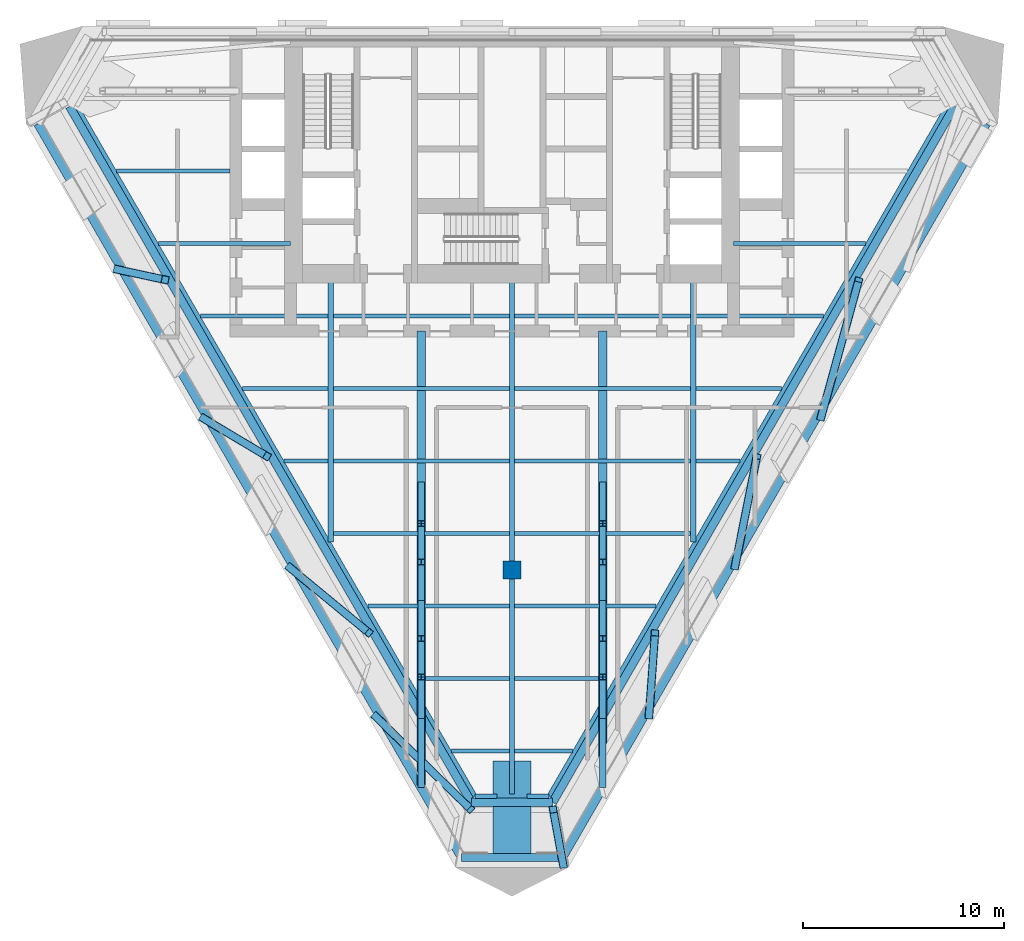
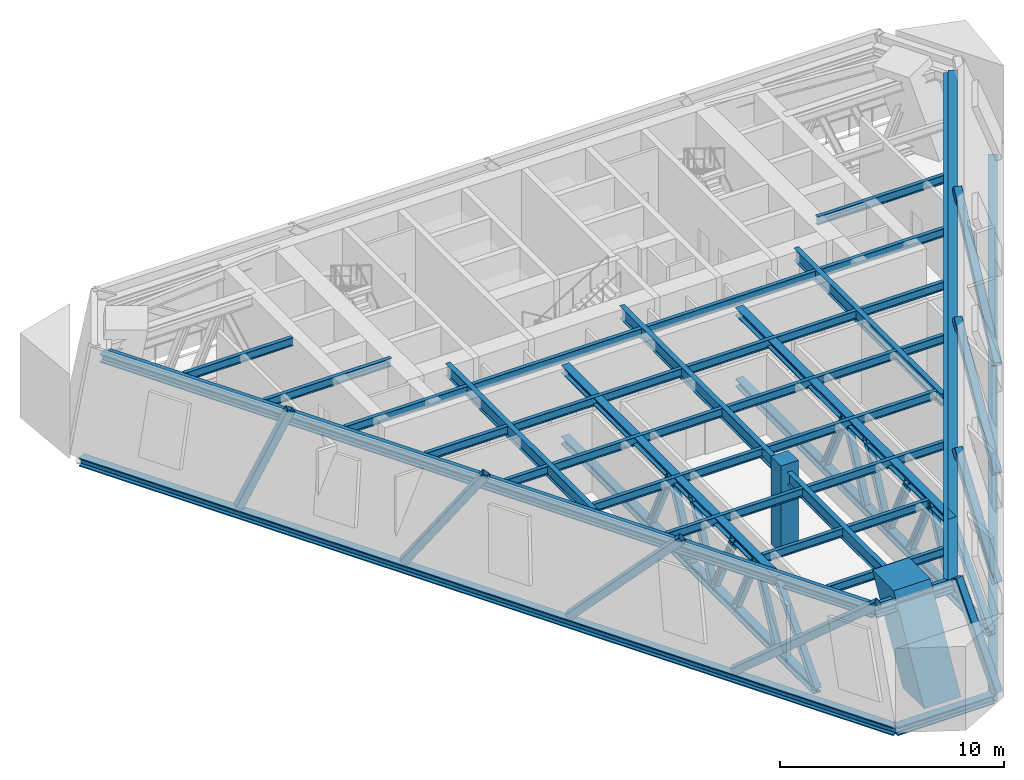
# One storey, part 1 of 12: 41 beams, 23 members, 1 column.
"""IFC4 building model written with IfcOpenShell, lengths in metres."""

from ifc_helpers import new_model, si_unit, direction, frame, origin, origin_2d, place, context, subcontext, project, spatial, rectangle, hollow_rectangle, i_section, extrude, material, material_profile, profile_set, type_object, element, save


model = new_model("IFC4")

# Units and contexts
model_context = context("Model", 3, precision=1e-05, world=origin(), true_north=direction((0.0, 1.0)))
body_context = subcontext(model_context, "Body", "Model", "MODEL_VIEW")
ifc_project = project(units=[si_unit("LENGTHUNIT", "METRE"), si_unit("AREAUNIT", "SQUARE_METRE"), si_unit("VOLUMEUNIT", "CUBIC_METRE"), si_unit("PLANEANGLEUNIT", "RADIAN"), si_unit("MASSUNIT", "GRAM", prefix="KILO")], contexts=[model_context])

# Site, building, storey
site_placement = place(None, origin())
site = spatial("IfcSite", under=ifc_project, at=site_placement, CompositionType="ELEMENT")
building_placement = place(site_placement, origin())
building = spatial("IfcBuilding", under=site, at=building_placement, Name="Aloe Facet Convention Tower", CompositionType="ELEMENT")
storey_placement = place(building_placement, frame((0.0, 0.0, 123.800048828125)))
storey = spatial("IfcBuildingStorey", under=building, at=storey_placement, Name="L31", CompositionType="ELEMENT", Elevation=123.800048828125)

# Column
ifc_material_1 = material(Name="Concrete C70/85", Category="concrete")
ifc_material_profile_1 = material_profile(ifc_material_1, rectangle(XDim=0.89990234375, YDim=0.89990234375, at=origin_2d()), Name="SF-GC-Z3")
ifc_profile_set_1 = profile_set([ifc_material_profile_1], Name="Concrete C70/85")
column_type = type_object("IfcColumnType", Name="SF-GC-Z3", PredefinedType="COLUMN", material=ifc_profile_set_1)
column_placement = place(storey_placement, frame((80.0, 108.0, 0.0), z_axis=(0.0, 0.0, 1.0), x_axis=(1.0, 0.0, 0.0)))
element("IfcColumn", 1, at=column_placement, inside=storey, type_object=column_type, Name="Gravity column GC-Z3-9D", PredefinedType="COLUMN", context=body_context, shape_type="SweptSolid", body=[
    extrude(rectangle(XDim=0.89990234375, YDim=0.89990234375, at=origin_2d()), origin(), (0.0, 0.0, 1.0), 4.800048828125),
])

# Beams
ifc_material_2 = material(Name="Steel S355", Category="steel")
ifc_material_profile_2 = material_profile(ifc_material_2, i_section(OverallWidth=0.19140625, OverallDepth=0.4599609375, WebThickness=0.010009765625, FlangeThickness=0.01611328125, FilletRadius=0.01025390625, at=origin_2d()), Name="UB 457x191x82")
ifc_profile_set_2 = profile_set([ifc_material_profile_2], Name="Steel S355")
beam_type_1 = type_object("IfcBeamType", Name="SF-B-UB457x191x82", PredefinedType="BEAM", material=ifc_profile_set_2)
beam_1_placement = place(storey_placement, frame((60.373779296875, 127.800048828125, 4.119873046875), z_axis=(1.0, 0.0, 0.0), x_axis=(0.0, 1.0, 0.0)))
element("IfcBeam", 2, at=beam_1_placement, inside=storey, type_object=beam_type_1, Name="Floor beam FB-Z3A-014", PredefinedType="BEAM", context=body_context, shape_type="SweptSolid", body=[
    extrude(i_section(OverallWidth=0.19140625, OverallDepth=0.4599609375, WebThickness=0.010009765625, FlangeThickness=0.01611328125, FilletRadius=0.01025390625, at=origin_2d()), origin(), (0.0, 0.0, 1.0), 5.626220703125),
])
beam_2_placement = place(storey_placement, frame((62.452392578125, 124.199951171875, 4.119873046875), z_axis=(1.0, 0.0, 0.0), x_axis=(0.0, 1.0, 0.0)))
element("IfcBeam", 3, at=beam_2_placement, inside=storey, type_object=beam_type_1, Name="Floor beam FB-Z3A-015", PredefinedType="BEAM", context=body_context, shape_type="SweptSolid", body=[
    extrude(i_section(OverallWidth=0.19140625, OverallDepth=0.4599609375, WebThickness=0.010009765625, FlangeThickness=0.01611328125, FilletRadius=0.01025390625, at=origin_2d()), origin(), (0.0, 0.0, 1.0), 6.547607421875),
])
beam_3_placement = place(storey_placement, frame((64.53076171875, 120.60009765625, 4.119873046875), z_axis=(1.0, 0.0, 0.0), x_axis=(0.0, 1.0, 0.0)))
element("IfcBeam", 4, at=beam_3_placement, inside=storey, type_object=beam_type_1, Name="Floor beam FB-Z3A-016", PredefinedType="BEAM", context=body_context, shape_type="SweptSolid", body=[
    extrude(i_section(OverallWidth=0.19140625, OverallDepth=0.4599609375, WebThickness=0.010009765625, FlangeThickness=0.01611328125, FilletRadius=0.01025390625, at=origin_2d()), origin(), (0.0, 0.0, 1.0), 6.3427734375),
])
beam_4_placement = place(storey_placement, frame((66.609130859375, 117.0, 4.119873046875), z_axis=(1.0, 0.0, 0.0), x_axis=(0.0, 1.0, 0.0)))
element("IfcBeam", 5, at=beam_4_placement, inside=storey, type_object=beam_type_1, Name="Floor beam FB-Z3A-017", PredefinedType="BEAM", context=body_context, shape_type="SweptSolid", body=[
    extrude(i_section(OverallWidth=0.19140625, OverallDepth=0.4599609375, WebThickness=0.010009765625, FlangeThickness=0.01611328125, FilletRadius=0.01025390625, at=origin_2d()), origin(), (0.0, 0.0, 1.0), 4.264404296875),
])
beam_5_placement = place(storey_placement, frame((68.687744140625, 113.39990234375, 4.119873046875), z_axis=(1.0, 0.0, 0.0), x_axis=(0.0, 1.0, 0.0)))
element("IfcBeam", 6, at=beam_5_placement, inside=storey, type_object=beam_type_1, Name="Floor beam FB-Z3A-018", PredefinedType="BEAM", context=body_context, shape_type="SweptSolid", body=[
    extrude(i_section(OverallWidth=0.19140625, OverallDepth=0.4599609375, WebThickness=0.010009765625, FlangeThickness=0.01611328125, FilletRadius=0.01025390625, at=origin_2d()), origin(), (0.0, 0.0, 1.0), 2.185791015625),
])
for number, where, z_axis, x_axis, name in (
    (7, (71.12646484375, 109.800048828125, 4.119873046875), (1.0, 0.0, 0.0), (0.0, 1.0, 0.0), "Floor beam FB-Z3A-019"),
    (8, (71.12646484375, 113.39990234375, 4.119873046875), (1.0, 0.0, 0.0), (0.0, 1.0, 0.0), "Floor beam FB-Z3A-020"),
    (9, (71.12646484375, 117.0, 4.119873046875), (1.0, 0.0, 0.0), (0.0, 1.0, 0.0), "Floor beam FB-Z3A-021"),
    (10, (71.12646484375, 120.60009765625, 4.119873046875), (1.0, 0.0, 0.0), (0.0, 1.0, 0.0), "Floor beam FB-Z3A-022"),
):
    element("IfcBeam", number, at=place(storey_placement, frame(where, z_axis=z_axis, x_axis=x_axis)), inside=storey, type_object=beam_type_1, Name=name, PredefinedType="BEAM", context=body_context, shape_type="SweptSolid", body=[
        extrude(i_section(OverallWidth=0.19140625, OverallDepth=0.4599609375, WebThickness=0.010009765625, FlangeThickness=0.01611328125, FilletRadius=0.01025390625, at=origin_2d()), origin(), (0.0, 0.0, 1.0), 8.7470703125),
    ])
beam_6_placement = place(storey_placement, frame((72.844482421875, 106.199951171875, 4.119873046875), z_axis=(1.0, 0.0, 0.0), x_axis=(0.0, 1.0, 0.0)))
element("IfcBeam", 11, at=beam_6_placement, inside=storey, type_object=beam_type_1, Name="Floor beam FB-Z3A-023", PredefinedType="BEAM", context=body_context, shape_type="SweptSolid", body=[
    extrude(i_section(OverallWidth=0.19140625, OverallDepth=0.4599609375, WebThickness=0.010009765625, FlangeThickness=0.01611328125, FilletRadius=0.01025390625, at=origin_2d()), origin(), (0.0, 0.0, 1.0), 7.029052734375),
])
beam_7_placement = place(storey_placement, frame((75.7099609375, 102.60009765625, 4.119873046875), z_axis=(1.0, 0.0, 0.0), x_axis=(0.0, 1.0, 0.0)))
element("IfcBeam", 12, at=beam_7_placement, inside=storey, type_object=beam_type_1, Name="Floor beam FB-Z3A-024", PredefinedType="BEAM", context=body_context, shape_type="SweptSolid", body=[
    extrude(i_section(OverallWidth=0.19140625, OverallDepth=0.4599609375, WebThickness=0.010009765625, FlangeThickness=0.01611328125, FilletRadius=0.01025390625, at=origin_2d()), origin(), (0.0, 0.0, 1.0), 4.16357421875),
])
for number, where, z_axis, x_axis, name in (
    (13, (77.00146484375, 99.0, 4.119873046875), (1.0, 0.0, 0.0), (0.0, 1.0, 0.0), "Floor beam FB-Z3A-025"),
    (14, (80.12646484375, 99.0, 4.119873046875), (1.0, 0.0, 0.0), (0.0, 1.0, 0.0), "Floor beam FB-Z3A-026"),
):
    element("IfcBeam", number, at=place(storey_placement, frame(where, z_axis=z_axis, x_axis=x_axis)), inside=storey, type_object=beam_type_1, Name=name, PredefinedType="BEAM", context=body_context, shape_type="SweptSolid", body=[
        extrude(i_section(OverallWidth=0.19140625, OverallDepth=0.4599609375, WebThickness=0.010009765625, FlangeThickness=0.01611328125, FilletRadius=0.01025390625, at=origin_2d()), origin(), (0.0, 0.0, 1.0), 2.8720703125),
    ])
beam_8_placement = place(storey_placement, frame((80.12646484375, 102.60009765625, 4.119873046875), z_axis=(1.0, 0.0, 0.0), x_axis=(0.0, 1.0, 0.0)))
element("IfcBeam", 15, at=beam_8_placement, inside=storey, type_object=beam_type_1, Name="Floor beam FB-Z3A-027", PredefinedType="BEAM", context=body_context, shape_type="SweptSolid", body=[
    extrude(i_section(OverallWidth=0.19140625, OverallDepth=0.4599609375, WebThickness=0.010009765625, FlangeThickness=0.01611328125, FilletRadius=0.01025390625, at=origin_2d()), origin(), (0.0, 0.0, 1.0), 4.16357421875),
])
beam_9_placement = place(storey_placement, frame((80.12646484375, 106.199951171875, 4.119873046875), z_axis=(1.0, 0.0, 0.0), x_axis=(0.0, 1.0, 0.0)))
element("IfcBeam", 16, at=beam_9_placement, inside=storey, type_object=beam_type_1, Name="Floor beam FB-Z3A-028", PredefinedType="BEAM", context=body_context, shape_type="SweptSolid", body=[
    extrude(i_section(OverallWidth=0.19140625, OverallDepth=0.4599609375, WebThickness=0.010009765625, FlangeThickness=0.01611328125, FilletRadius=0.01025390625, at=origin_2d()), origin(), (0.0, 0.0, 1.0), 7.029052734375),
])
for number, where, z_axis, x_axis, name in (
    (17, (80.12646484375, 109.800048828125, 4.119873046875), (1.0, 0.0, 0.0), (0.0, 1.0, 0.0), "Floor beam FB-Z3A-029"),
    (18, (80.12646484375, 113.39990234375, 4.119873046875), (1.0, 0.0, 0.0), (0.0, 1.0, 0.0), "Floor beam FB-Z3A-030"),
    (19, (80.12646484375, 117.0, 4.119873046875), (1.0, 0.0, 0.0), (0.0, 1.0, 0.0), "Floor beam FB-Z3A-031"),
    (20, (80.12646484375, 120.60009765625, 4.119873046875), (1.0, 0.0, 0.0), (0.0, 1.0, 0.0), "Floor beam FB-Z3A-032"),
):
    element("IfcBeam", number, at=place(storey_placement, frame(where, z_axis=z_axis, x_axis=x_axis)), inside=storey, type_object=beam_type_1, Name=name, PredefinedType="BEAM", context=body_context, shape_type="SweptSolid", body=[
        extrude(i_section(OverallWidth=0.19140625, OverallDepth=0.4599609375, WebThickness=0.010009765625, FlangeThickness=0.01611328125, FilletRadius=0.01025390625, at=origin_2d()), origin(), (0.0, 0.0, 1.0), 8.7470703125),
    ])
beam_10_placement = place(storey_placement, frame((89.12646484375, 113.39990234375, 4.119873046875), z_axis=(1.0, 0.0, 0.0), x_axis=(0.0, 1.0, 0.0)))
element("IfcBeam", 21, at=beam_10_placement, inside=storey, type_object=beam_type_1, Name="Floor beam FB-Z3A-033", PredefinedType="BEAM", context=body_context, shape_type="SweptSolid", body=[
    extrude(i_section(OverallWidth=0.19140625, OverallDepth=0.4599609375, WebThickness=0.010009765625, FlangeThickness=0.01611328125, FilletRadius=0.01025390625, at=origin_2d()), origin(), (0.0, 0.0, 1.0), 2.185791015625),
])
beam_11_placement = place(storey_placement, frame((89.12646484375, 117.0, 4.119873046875), z_axis=(1.0, 0.0, 0.0), x_axis=(0.0, 1.0, 0.0)))
element("IfcBeam", 22, at=beam_11_placement, inside=storey, type_object=beam_type_1, Name="Floor beam FB-Z3A-034", PredefinedType="BEAM", context=body_context, shape_type="SweptSolid", body=[
    extrude(i_section(OverallWidth=0.19140625, OverallDepth=0.4599609375, WebThickness=0.010009765625, FlangeThickness=0.01611328125, FilletRadius=0.01025390625, at=origin_2d()), origin(), (0.0, 0.0, 1.0), 4.264404296875),
])
beam_12_placement = place(storey_placement, frame((89.12646484375, 120.60009765625, 4.119873046875), z_axis=(1.0, 0.0, 0.0), x_axis=(0.0, 1.0, 0.0)))
element("IfcBeam", 23, at=beam_12_placement, inside=storey, type_object=beam_type_1, Name="Floor beam FB-Z3A-035", PredefinedType="BEAM", context=body_context, shape_type="SweptSolid", body=[
    extrude(i_section(OverallWidth=0.19140625, OverallDepth=0.4599609375, WebThickness=0.010009765625, FlangeThickness=0.01611328125, FilletRadius=0.01025390625, at=origin_2d()), origin(), (0.0, 0.0, 1.0), 6.3427734375),
])
beam_13_placement = place(storey_placement, frame((91.0, 124.199951171875, 4.119873046875), z_axis=(1.0, 0.0, 0.0), x_axis=(0.0, 1.0, 0.0)))
element("IfcBeam", 24, at=beam_13_placement, inside=storey, type_object=beam_type_1, Name="Floor beam FB-Z3A-036", PredefinedType="BEAM", context=body_context, shape_type="SweptSolid", body=[
    extrude(i_section(OverallWidth=0.19140625, OverallDepth=0.4599609375, WebThickness=0.010009765625, FlangeThickness=0.01611328125, FilletRadius=0.01025390625, at=origin_2d()), origin(), (0.0, 0.0, 1.0), 6.547607421875),
])
ifc_material_3 = material(Name="Steel S355", Category="steel")
ifc_material_profile_3 = material_profile(ifc_material_3, i_section(OverallWidth=0.209228515625, OverallDepth=0.533203125, WebThickness=0.010009765625, FlangeThickness=0.015625, FilletRadius=0.0126953125, at=origin_2d()), Name="UB 533x210x92")
ifc_profile_set_3 = profile_set([ifc_material_profile_3], Name="Steel S355")
beam_type_2 = type_object("IfcBeamType", Name="SF-B-UB533x210x92", PredefinedType="BEAM", material=ifc_profile_set_3)
beam_14_placement = place(storey_placement, frame((78.16455078125, 96.7587890625, 4.08349609375), z_axis=(-0.499999016722, 0.866025971479, 0.0), x_axis=(-0.866025971479, -0.499999016722, 0.0)))
element("IfcBeam", 25, at=beam_14_placement, inside=storey, type_object=beam_type_2, Name="Floor beam FB-Z3A-003", PredefinedType="BEAM", context=body_context, shape_type="SweptSolid", body=[
    extrude(i_section(OverallWidth=0.209228515625, OverallDepth=0.533203125, WebThickness=0.010009765625, FlangeThickness=0.015625, FilletRadius=0.0126953125, at=origin_2d()), origin(), (0.0, 0.0, 1.0), 39.55712890625),
])
for number, where, z_axis, x_axis, name in (
    (26, (79.2646484375, 96.7587890625, 4.08349609375), (-1.0, 0.0, 0.0), (0.0, -1.0, 0.0), "Floor beam FB-Z3A-004"),
    (27, (81.83544921875, 96.7587890625, 4.08349609375), (-1.0, 0.0, 0.0), (0.0, -1.0, 0.0), "Floor beam FB-Z3A-005"),
):
    element("IfcBeam", number, at=place(storey_placement, frame(where, z_axis=z_axis, x_axis=x_axis)), inside=storey, type_object=beam_type_2, Name=name, PredefinedType="BEAM", context=body_context, shape_type="SweptSolid", body=[
        extrude(i_section(OverallWidth=0.209228515625, OverallDepth=0.533203125, WebThickness=0.010009765625, FlangeThickness=0.015625, FilletRadius=0.0126953125, at=origin_2d()), origin(), (0.0, 0.0, 1.0), 1.10009765625),
    ])
beam_15_placement = place(storey_placement, frame((101.614013671875, 131.016357421875, 4.08349609375), z_axis=(-0.499999016722, -0.866025971479, 0.0), x_axis=(0.866025971479, -0.499999016722, 0.0)))
element("IfcBeam", 28, at=beam_15_placement, inside=storey, type_object=beam_type_2, Name="Floor beam FB-Z3A-008", PredefinedType="BEAM", context=body_context, shape_type="SweptSolid", body=[
    extrude(i_section(OverallWidth=0.209228515625, OverallDepth=0.533203125, WebThickness=0.010009765625, FlangeThickness=0.015625, FilletRadius=0.0126953125, at=origin_2d()), origin(), (0.0, 0.0, 1.0), 39.55712890625),
])
ifc_material_4 = material(Name="Steel S355", Category="steel")
ifc_material_profile_4 = material_profile(ifc_material_4, i_section(OverallWidth=0.2529296875, OverallDepth=0.677978515625, WebThickness=0.01171875, FlangeThickness=0.01611328125, FilletRadius=0.01513671875, at=origin_2d()), Name="UB 686x254x125")
ifc_profile_set_4 = profile_set([ifc_material_profile_4], Name="Steel S355")
beam_type_3 = type_object("IfcBeamType", Name="SF-B-UB686x254x125", PredefinedType="BEAM", material=ifc_profile_set_4)
beam_16_placement = place(storey_placement, frame((71.0, 122.550048828125, 4.010986328125), z_axis=(0.0, -1.0, 0.0), x_axis=(1.0, 0.0, 0.0)))
element("IfcBeam", 29, at=beam_16_placement, inside=storey, type_object=beam_type_3, Name="Floor beam FB-Z3A-009", PredefinedType="BEAM", context=body_context, shape_type="SweptSolid", body=[
    extrude(i_section(OverallWidth=0.2529296875, OverallDepth=0.677978515625, WebThickness=0.01171875, FlangeThickness=0.01611328125, FilletRadius=0.01513671875, at=origin_2d()), origin(), (0.0, 0.0, 1.0), 13.162353515625),
])
beam_17_placement = place(storey_placement, frame((80.0, 107.550048828125, 4.010986328125), z_axis=(0.0, -1.0, 0.0), x_axis=(1.0, 0.0, 0.0)))
element("IfcBeam", 30, at=beam_17_placement, inside=storey, type_object=beam_type_3, Name="Floor beam FB-Z3A-010", PredefinedType="BEAM", context=body_context, shape_type="SweptSolid", body=[
    extrude(i_section(OverallWidth=0.2529296875, OverallDepth=0.677978515625, WebThickness=0.01171875, FlangeThickness=0.01611328125, FilletRadius=0.01513671875, at=origin_2d()), origin(), (0.0, 0.0, 1.0), 10.676513671875),
])
beam_18_placement = place(storey_placement, frame((80.0, 122.550048828125, 4.010986328125), z_axis=(0.0, -1.0, 0.0), x_axis=(1.0, 0.0, 0.0)))
element("IfcBeam", 31, at=beam_18_placement, inside=storey, type_object=beam_type_3, Name="Floor beam FB-Z3A-011", PredefinedType="BEAM", context=body_context, shape_type="SweptSolid", body=[
    extrude(i_section(OverallWidth=0.2529296875, OverallDepth=0.677978515625, WebThickness=0.01171875, FlangeThickness=0.01611328125, FilletRadius=0.01513671875, at=origin_2d()), origin(), (0.0, 0.0, 1.0), 14.10009765625),
])
beam_19_placement = place(storey_placement, frame((89.0, 122.550048828125, 4.010986328125), z_axis=(0.0, -1.0, 0.0), x_axis=(1.0, 0.0, 0.0)))
element("IfcBeam", 32, at=beam_19_placement, inside=storey, type_object=beam_type_3, Name="Floor beam FB-Z3A-012", PredefinedType="BEAM", context=body_context, shape_type="SweptSolid", body=[
    extrude(i_section(OverallWidth=0.2529296875, OverallDepth=0.677978515625, WebThickness=0.01171875, FlangeThickness=0.01611328125, FilletRadius=0.01513671875, at=origin_2d()), origin(), (0.0, 0.0, 1.0), 13.162353515625),
])
ifc_material_5 = material(Name="Steel S355", Category="steel")
ifc_material_profile_5 = material_profile(ifc_material_5, i_section(OverallWidth=0.41845703125, OverallDepth=0.45556640625, WebThickness=0.0419921875, FlangeThickness=0.0576171875, FilletRadius=0.01513671875, at=origin_2d()), Name="UC 356x406x551")
ifc_profile_set_5 = profile_set([ifc_material_profile_5], Name="Steel S355")
beam_type_4 = type_object("IfcBeamType", Name="STW-BC-L31", PredefinedType="BEAM", material=ifc_profile_set_5)
beam_20_placement = place(storey_placement, frame((103.544189453125, 130.150146484375, -0.477783203125), z_axis=(-0.500002284728, -0.866024084692, 0.0), x_axis=(0.866024084692, -0.500002284728, 0.0)))
element("IfcBeam", 33, at=beam_20_placement, inside=storey, type_object=beam_type_4, Name="Belt chord BC-L31-L-02", PredefinedType="BEAM", context=body_context, shape_type="SweptSolid", body=[
    extrude(i_section(OverallWidth=0.41845703125, OverallDepth=0.45556640625, WebThickness=0.0419921875, FlangeThickness=0.0576171875, FilletRadius=0.01513671875, at=origin_2d()), origin(), (0.0, 0.0, 1.0), 42.065673828125),
])
beam_21_placement = place(storey_placement, frame((82.51123046875, 93.72021484375, -0.477783203125), z_axis=(-1.0, 0.0, 0.0), x_axis=(0.0, -1.0, 0.0)))
element("IfcBeam", 34, at=beam_21_placement, inside=storey, type_object=beam_type_4, Name="Belt chord BC-L31-L-03", PredefinedType="BEAM", context=body_context, shape_type="SweptSolid", body=[
    extrude(i_section(OverallWidth=0.41845703125, OverallDepth=0.45556640625, WebThickness=0.0419921875, FlangeThickness=0.0576171875, FilletRadius=0.01513671875, at=origin_2d()), origin(), (0.0, 0.0, 1.0), 5.0224609375),
])
beam_22_placement = place(storey_placement, frame((77.48876953125, 93.72021484375, -0.477783203125), z_axis=(-0.500002284728, 0.866024084692, 0.0), x_axis=(-0.866024084692, -0.500002284728, 0.0)))
element("IfcBeam", 35, at=beam_22_placement, inside=storey, type_object=beam_type_4, Name="Belt chord BC-L31-L-04", PredefinedType="BEAM", context=body_context, shape_type="SweptSolid", body=[
    extrude(i_section(OverallWidth=0.41845703125, OverallDepth=0.45556640625, WebThickness=0.0419921875, FlangeThickness=0.0576171875, FilletRadius=0.01513671875, at=origin_2d()), origin(), (0.0, 0.0, 1.0), 42.065673828125),
])
beam_23_placement = place(storey_placement, frame((101.9658203125, 131.016357421875, 4.1220703125), z_axis=(-0.50000381633, -0.866023200414, 0.0), x_axis=(0.866023200414, -0.50000381633, 0.0)))
element("IfcBeam", 36, at=beam_23_placement, inside=storey, type_object=beam_type_4, Name="Belt chord BC-L31-U-02", PredefinedType="BEAM", context=body_context, shape_type="SweptSolid", body=[
    extrude(i_section(OverallWidth=0.41845703125, OverallDepth=0.45556640625, WebThickness=0.0419921875, FlangeThickness=0.0576171875, FilletRadius=0.01513671875, at=origin_2d()), origin(), (0.0, 0.0, 1.0), 39.908935546875),
])
beam_24_placement = place(storey_placement, frame((82.01123046875, 96.454345703125, 4.1220703125), z_axis=(-1.0, 0.0, 0.0), x_axis=(0.0, -1.0, 0.0)))
element("IfcBeam", 37, at=beam_24_placement, inside=storey, type_object=beam_type_4, Name="Belt chord BC-L31-U-03", PredefinedType="BEAM", context=body_context, shape_type="SweptSolid", body=[
    extrude(i_section(OverallWidth=0.41845703125, OverallDepth=0.45556640625, WebThickness=0.0419921875, FlangeThickness=0.0576171875, FilletRadius=0.01513671875, at=origin_2d()), origin(), (0.0, 0.0, 1.0), 4.0224609375),
])
beam_25_placement = place(storey_placement, frame((77.98876953125, 96.454345703125, 4.1220703125), z_axis=(-0.50000381633, 0.866023200414, 0.0), x_axis=(-0.866023200414, -0.50000381633, 0.0)))
element("IfcBeam", 38, at=beam_25_placement, inside=storey, type_object=beam_type_4, Name="Belt chord BC-L31-U-04", PredefinedType="BEAM", context=body_context, shape_type="SweptSolid", body=[
    extrude(i_section(OverallWidth=0.41845703125, OverallDepth=0.45556640625, WebThickness=0.0419921875, FlangeThickness=0.0576171875, FilletRadius=0.01513671875, at=origin_2d()), origin(), (0.0, 0.0, 1.0), 39.908935546875),
])

# Members
ifc_material_6 = material(Name="Steel S355", Category="steel")
ifc_material_profile_6 = material_profile(ifc_material_6, hollow_rectangle(XDim=0.39990234375, YDim=0.39990234375, WallThickness=0.01611328125, InnerFilletRadius=0.01611328125, OuterFilletRadius=0.031982421875, at=origin_2d()), Name="SHS 400x400x16")
ifc_profile_set_6 = profile_set([ifc_material_profile_6], Name="Steel S355")
member_type_1 = type_object("IfcMemberType", Name="STW-BW-L31", PredefinedType="BRACE", material=ifc_profile_set_6)
member_1_placement = place(storey_placement, frame((60.402587890625, 122.914306640625, 0.0), z_axis=(0.441447512741, -0.095432166868, 0.892197733141), x_axis=(0.211299066995, 0.977421456838, 0.0)))
element("IfcMember", 39, at=member_1_placement, inside=storey, type_object=member_type_1, Name="Belt web BW-L31-F2-02", PredefinedType="BRACE", context=body_context, shape_type="SweptSolid", body=[
    extrude(hollow_rectangle(XDim=0.39990234375, YDim=0.39990234375, WallThickness=0.01611328125, InnerFilletRadius=0.01611328125, OuterFilletRadius=0.031982421875, at=origin_2d()), origin(), (0.0, 0.0, 1.0), 5.380126953125),
])
member_2_placement = place(storey_placement, frame((64.6669921875, 115.5283203125, 0.0), z_axis=(0.523628783618, -0.31256486437, 0.792537760948), x_axis=(0.512550274158, 0.85865721709, 0.0)))
element("IfcMember", 40, at=member_2_placement, inside=storey, type_object=member_type_1, Name="Belt web BW-L31-F2-03", PredefinedType="BRACE", context=body_context, shape_type="SweptSolid", body=[
    extrude(hollow_rectangle(XDim=0.39990234375, YDim=0.39990234375, WallThickness=0.01611328125, InnerFilletRadius=0.01611328125, OuterFilletRadius=0.031982421875, at=origin_2d()), origin(), (0.0, 0.0, 1.0), 6.056640625),
])
member_3_placement = place(storey_placement, frame((68.93115234375, 108.142333984375, 0.0), z_axis=(0.563996374877, -0.465161666801, 0.682299577065), x_axis=(0.636272793685, 0.771464148237, 0.0)))
element("IfcMember", 41, at=member_3_placement, inside=storey, type_object=member_type_1, Name="Belt web BW-L31-F2-04", PredefinedType="BRACE", context=body_context, shape_type="SweptSolid", body=[
    extrude(hollow_rectangle(XDim=0.39990234375, YDim=0.39990234375, WallThickness=0.01611328125, InnerFilletRadius=0.01611328125, OuterFilletRadius=0.031982421875, at=origin_2d()), origin(), (0.0, 0.0, 1.0), 7.03515625),
])
member_4_placement = place(storey_placement, frame((73.195556640625, 100.75634765625, 0.0), z_axis=(0.580392439995, -0.566740696121, 0.584764567118), x_axis=(0.698642208811, 0.715471218197, 0.0)))
element("IfcMember", 42, at=member_4_placement, inside=storey, type_object=member_type_1, Name="Belt web BW-L31-F2-05", PredefinedType="BRACE", context=body_context, shape_type="SweptSolid", body=[
    extrude(hollow_rectangle(XDim=0.39990234375, YDim=0.39990234375, WallThickness=0.01611328125, InnerFilletRadius=0.01611328125, OuterFilletRadius=0.031982421875, at=origin_2d()), origin(), (0.0, 0.0, 1.0), 8.20849609375),
])
member_5_placement = place(storey_placement, frame((82.540283203125, 93.370361328125, 0.0), z_axis=(-0.090145557767, 0.492895486268, 0.865406157842), x_axis=(-0.983683853154, -0.179905744888, 0.0)))
element("IfcMember", 43, at=member_5_placement, inside=storey, type_object=member_type_1, Name="Belt web BW-L31-F3-01", PredefinedType="BRACE", context=body_context, shape_type="SweptSolid", body=[
    extrude(hollow_rectangle(XDim=0.39990234375, YDim=0.39990234375, WallThickness=0.01611328125, InnerFilletRadius=0.01611328125, OuterFilletRadius=0.031982421875, at=origin_2d()), origin(), (0.0, 0.0, 1.0), 5.546630859375),
])
member_6_placement = place(storey_placement, frame((86.804443359375, 100.75634765625, 0.0), z_axis=(0.046872434508, 0.650003003318, 0.758484720057), x_axis=(-0.997410090606, 0.07192434329, 0.0)))
element("IfcMember", 44, at=member_6_placement, inside=storey, type_object=member_type_1, Name="Belt web BW-L31-F3-02", PredefinedType="BRACE", context=body_context, shape_type="SweptSolid", body=[
    extrude(hollow_rectangle(XDim=0.39990234375, YDim=0.39990234375, WallThickness=0.01611328125, InnerFilletRadius=0.01611328125, OuterFilletRadius=0.031982421875, at=origin_2d()), origin(), (0.0, 0.0, 1.0), 6.328369140625),
])
member_7_placement = place(storey_placement, frame((91.06884765625, 108.142333984375, 0.0), z_axis=(0.148150653336, 0.744692035165, 0.650757371589), x_axis=(-0.980779686142, 0.195118444161, 0.0)))
element("IfcMember", 45, at=member_7_placement, inside=storey, type_object=member_type_1, Name="Belt web BW-L31-F3-03", PredefinedType="BRACE", context=body_context, shape_type="SweptSolid", body=[
    extrude(hollow_rectangle(XDim=0.39990234375, YDim=0.39990234375, WallThickness=0.01611328125, InnerFilletRadius=0.01611328125, OuterFilletRadius=0.031982421875, at=origin_2d()), origin(), (0.0, 0.0, 1.0), 7.3759765625),
])
member_8_placement = place(storey_placement, frame((95.3330078125, 115.5283203125, 0.0), z_axis=(0.219873079325, 0.799770924281, 0.558589561005), x_axis=(-0.96422509414, 0.265084831387, 0.0)))
element("IfcMember", 46, at=member_8_placement, inside=storey, type_object=member_type_1, Name="Belt web BW-L31-F3-04", PredefinedType="BRACE", context=body_context, shape_type="SweptSolid", body=[
    extrude(hollow_rectangle(XDim=0.39990234375, YDim=0.39990234375, WallThickness=0.01611328125, InnerFilletRadius=0.01611328125, OuterFilletRadius=0.031982421875, at=origin_2d()), origin(), (0.0, 0.0, 1.0), 8.59326171875),
])
ifc_material_7 = material(Name="Concrete C80/95", Category="concrete")
ifc_material_profile_7 = material_profile(ifc_material_7, rectangle(XDim=1.89990234375, YDim=1.89990234375, at=origin_2d()), Name="STW-MJ-Z2")
ifc_profile_set_7 = profile_set([ifc_material_profile_7], Name="Concrete C80/95")
member_type_2 = type_object("IfcMemberType", Name="STW-MJ-Z2", PredefinedType="STRUT", material=ifc_profile_set_7)
member_9_placement = place(storey_placement, frame((80.0, 94.8203125, 0.0), z_axis=(0.0, 0.0, 1.0), x_axis=(1.0, 0.0, 0.0)))
element("IfcMember", 47, at=member_9_placement, inside=storey, type_object=member_type_2, Name="Transfer jog MC-S-L31", PredefinedType="STRUT", context=body_context, shape_type="SweptSolid", body=[
    extrude(rectangle(XDim=1.89990234375, YDim=1.89990234375, at=origin_2d()), origin(), (0.0, 0.494910464206, 0.86894397542), 5.52392578125),
])

# Beams
ifc_material_8 = material(Name="Steel S355", Category="steel")
ifc_material_profile_8 = material_profile(ifc_material_8, i_section(OverallWidth=0.412109375, OverallDepth=0.4365234375, WebThickness=0.035888671875, FlangeThickness=0.048095703125, FilletRadius=0.01513671875, at=origin_2d()), Name="UC 356x406x467")
ifc_profile_set_8 = profile_set([ifc_material_profile_8], Name="Steel S355")
beam_type_5 = type_object("IfcBeamType", Name="STW-OC-L31", PredefinedType="BEAM", material=ifc_profile_set_8)
beam_26_placement = place(storey_placement, frame((75.5, 119.85009765625, 0.248291015625), z_axis=(0.0, -1.0, 0.0), x_axis=(1.0, 0.0, 0.0)))
element("IfcBeam", 48, at=beam_26_placement, inside=storey, type_object=beam_type_5, Name="Outrigger chord OR-L31-S1-B", PredefinedType="BEAM", context=body_context, shape_type="SweptSolid", body=[
    extrude(i_section(OverallWidth=0.412109375, OverallDepth=0.4365234375, WebThickness=0.035888671875, FlangeThickness=0.048095703125, FilletRadius=0.01513671875, at=origin_2d()), origin(), (0.0, 0.0, 1.0), 22.535400390625),
])
beam_27_placement = place(storey_placement, frame((75.5, 119.85009765625, 4.131591796875), z_axis=(0.0, -1.0, 0.0), x_axis=(1.0, 0.0, 0.0)))
element("IfcBeam", 49, at=beam_27_placement, inside=storey, type_object=beam_type_5, Name="Outrigger chord OR-L31-S1-T", PredefinedType="BEAM", context=body_context, shape_type="SweptSolid", body=[
    extrude(i_section(OverallWidth=0.412109375, OverallDepth=0.4365234375, WebThickness=0.035888671875, FlangeThickness=0.048095703125, FilletRadius=0.01513671875, at=origin_2d()), origin(), (0.0, 0.0, 1.0), 19.08544921875),
])
beam_28_placement = place(storey_placement, frame((84.5, 119.85009765625, 0.248291015625), z_axis=(0.0, -1.0, 0.0), x_axis=(1.0, 0.0, 0.0)))
element("IfcBeam", 50, at=beam_28_placement, inside=storey, type_object=beam_type_5, Name="Outrigger chord OR-L31-S2-B", PredefinedType="BEAM", context=body_context, shape_type="SweptSolid", body=[
    extrude(i_section(OverallWidth=0.412109375, OverallDepth=0.4365234375, WebThickness=0.035888671875, FlangeThickness=0.048095703125, FilletRadius=0.01513671875, at=origin_2d()), origin(), (0.0, 0.0, 1.0), 22.535400390625),
])
beam_29_placement = place(storey_placement, frame((84.5, 119.85009765625, 4.131591796875), z_axis=(0.0, -1.0, 0.0), x_axis=(1.0, 0.0, 0.0)))
element("IfcBeam", 51, at=beam_29_placement, inside=storey, type_object=beam_type_5, Name="Outrigger chord OR-L31-S2-T", PredefinedType="BEAM", context=body_context, shape_type="SweptSolid", body=[
    extrude(i_section(OverallWidth=0.412109375, OverallDepth=0.4365234375, WebThickness=0.035888671875, FlangeThickness=0.048095703125, FilletRadius=0.01513671875, at=origin_2d()), origin(), (0.0, 0.0, 1.0), 19.08544921875),
])

# Members
ifc_material_9 = material(Name="Steel S355", Category="steel")
ifc_material_profile_9 = material_profile(ifc_material_9, i_section(OverallWidth=0.311279296875, OverallDepth=0.3271484375, WebThickness=0.015869140625, FlangeThickness=0.02490234375, FilletRadius=0.01513671875, at=origin_2d()), Name="UC 305x305x158")
ifc_profile_set_9 = profile_set([ifc_material_profile_9], Name="Steel S355")
member_type_3 = type_object("IfcMemberType", Name="STW-OD-L31", PredefinedType="BRACE", material=ifc_profile_set_9)
for number, where, z_axis, x_axis, name in (
    (52, (75.5, 112.2158203125, 0.248291015625), (0.0, -0.441064161856, 0.897475573554), (1.0, 0.0, 0.0), "Outrigger diagonal OR-L31-S1-D01"),
    (53, (75.5, 110.307373046875, 4.131591796875), (0.0, -0.441064161856, -0.897475573554), (1.0, 0.0, 0.0), "Outrigger diagonal OR-L31-S1-D02"),
    (54, (75.5, 108.39892578125, 4.131591796875), (0.0, -0.441109607338, -0.897453237954), (1.0, 0.0, 0.0), "Outrigger diagonal OR-L31-S1-D03"),
    (55, (75.5, 106.490234375, 0.248291015625), (0.0, -0.441064161856, 0.897475573554), (1.0, 0.0, 0.0), "Outrigger diagonal OR-L31-S1-D04"),
    (56, (75.5, 104.581787109375, 0.248291015625), (0.0, -0.441064161856, 0.897475573554), (1.0, 0.0, 0.0), "Outrigger diagonal OR-L31-S1-D05"),
    (57, (75.5, 102.67333984375, 4.131591796875), (0.0, -0.441109607338, -0.897453237954), (1.0, 0.0, 0.0), "Outrigger diagonal OR-L31-S1-D06"),
):
    element("IfcMember", number, at=place(storey_placement, frame(where, z_axis=z_axis, x_axis=x_axis)), inside=storey, type_object=member_type_3, Name=name, PredefinedType="BRACE", context=body_context, shape_type="SweptSolid", body=[
        extrude(i_section(OverallWidth=0.311279296875, OverallDepth=0.3271484375, WebThickness=0.015869140625, FlangeThickness=0.02490234375, FilletRadius=0.01513671875, at=origin_2d()), origin(), (0.0, 0.0, 1.0), 4.326904296875),
    ])
member_10_placement = place(storey_placement, frame((75.5, 100.7646484375, 4.131591796875), z_axis=(0.0, -0.664162523407, -0.747588217204), x_axis=(1.0, 0.0, 0.0)))
element("IfcMember", 58, at=member_10_placement, inside=storey, type_object=member_type_3, Name="Outrigger diagonal OR-L31-S1-D07", PredefinedType="BRACE", context=body_context, shape_type="SweptSolid", body=[
    extrude(i_section(OverallWidth=0.311279296875, OverallDepth=0.3271484375, WebThickness=0.015869140625, FlangeThickness=0.02490234375, FilletRadius=0.01513671875, at=origin_2d()), origin(), (0.0, 0.0, 1.0), 5.1943359375),
])
for number, where, z_axis, x_axis, name in (
    (59, (84.5, 112.2158203125, 0.248291015625), (0.0, -0.441064161856, 0.897475573554), (1.0, 0.0, 0.0), "Outrigger diagonal OR-L31-S2-D01"),
    (60, (84.5, 110.307373046875, 4.131591796875), (0.0, -0.441064161856, -0.897475573554), (1.0, 0.0, 0.0), "Outrigger diagonal OR-L31-S2-D02"),
    (61, (84.5, 108.39892578125, 4.131591796875), (0.0, -0.441109607338, -0.897453237954), (1.0, 0.0, 0.0), "Outrigger diagonal OR-L31-S2-D03"),
    (62, (84.5, 106.490234375, 0.248291015625), (0.0, -0.441064161856, 0.897475573554), (1.0, 0.0, 0.0), "Outrigger diagonal OR-L31-S2-D04"),
    (63, (84.5, 104.581787109375, 0.248291015625), (0.0, -0.441064161856, 0.897475573554), (1.0, 0.0, 0.0), "Outrigger diagonal OR-L31-S2-D05"),
    (64, (84.5, 102.67333984375, 4.131591796875), (0.0, -0.441109607338, -0.897453237954), (1.0, 0.0, 0.0), "Outrigger diagonal OR-L31-S2-D06"),
):
    element("IfcMember", number, at=place(storey_placement, frame(where, z_axis=z_axis, x_axis=x_axis)), inside=storey, type_object=member_type_3, Name=name, PredefinedType="BRACE", context=body_context, shape_type="SweptSolid", body=[
        extrude(i_section(OverallWidth=0.311279296875, OverallDepth=0.3271484375, WebThickness=0.015869140625, FlangeThickness=0.02490234375, FilletRadius=0.01513671875, at=origin_2d()), origin(), (0.0, 0.0, 1.0), 4.326904296875),
    ])
member_11_placement = place(storey_placement, frame((84.5, 100.7646484375, 4.131591796875), z_axis=(0.0, -0.664162523407, -0.747588217204), x_axis=(1.0, 0.0, 0.0)))
element("IfcMember", 65, at=member_11_placement, inside=storey, type_object=member_type_3, Name="Outrigger diagonal OR-L31-S2-D07", PredefinedType="BRACE", context=body_context, shape_type="SweptSolid", body=[
    extrude(i_section(OverallWidth=0.311279296875, OverallDepth=0.3271484375, WebThickness=0.015869140625, FlangeThickness=0.02490234375, FilletRadius=0.01513671875, at=origin_2d()), origin(), (0.0, 0.0, 1.0), 5.1943359375),
])

save(model, "model.ifc")
